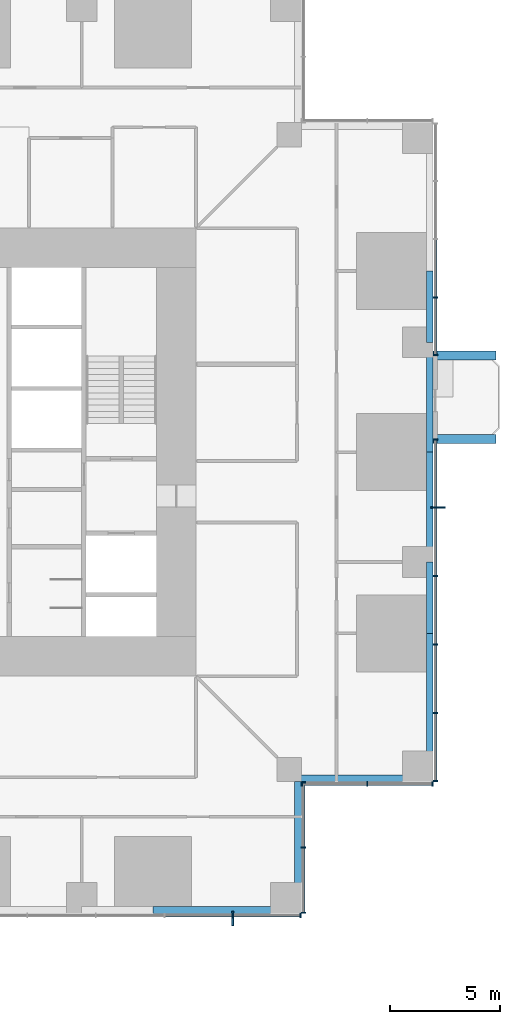
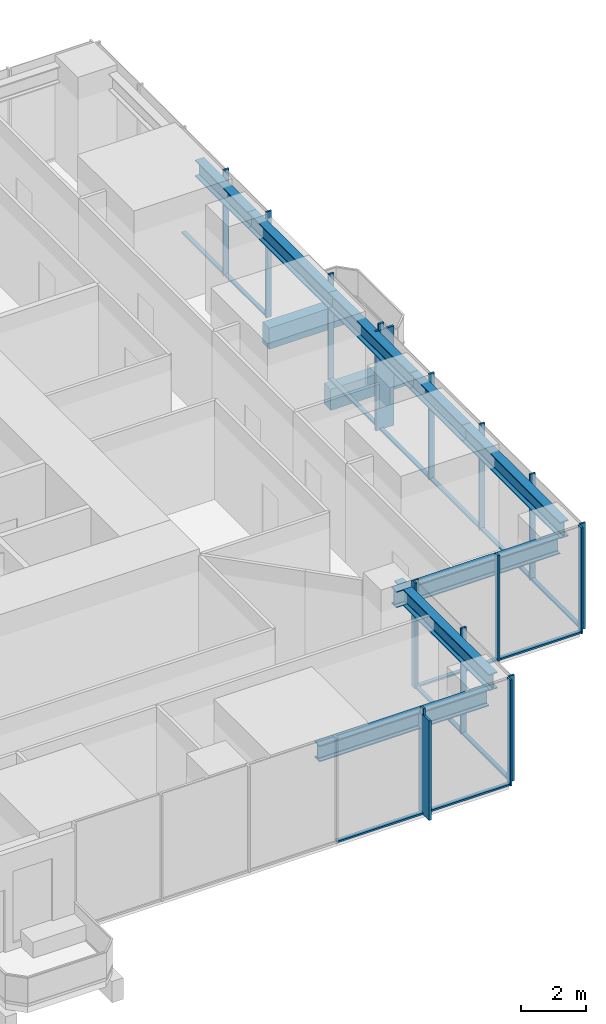
# One storey, part 4 of 18: 31 members, 10 beams, 5 elements without a shape of their own.
"""IFC4 building model written with IfcOpenShell, lengths in metres."""

from ifc_helpers import new_model, si_unit, direction, frame, origin, origin_2d, place, context, subcontext, project, spatial, rectangle, i_section, extrude, material, material_profile, profile_set, type_object, element, aggregate, save


model = new_model("IFC4")

# Units and contexts
model_context = context("Model", 3, precision=1e-05, world=origin(), true_north=direction((0.0, 1.0)))
body_context = subcontext(model_context, "Body", "Model", "MODEL_VIEW")
ifc_project = project(units=[si_unit("LENGTHUNIT", "METRE"), si_unit("AREAUNIT", "SQUARE_METRE"), si_unit("VOLUMEUNIT", "CUBIC_METRE"), si_unit("PLANEANGLEUNIT", "RADIAN"), si_unit("MASSUNIT", "GRAM", prefix="KILO")], contexts=[model_context])

# Site, building, storey
site_placement = place(None, origin())
site = spatial("IfcSite", under=ifc_project, at=site_placement, CompositionType="ELEMENT")
building_placement = place(site_placement, origin())
building = spatial("IfcBuilding", under=site, at=building_placement, Name="Svetlomir Tower", CompositionType="ELEMENT")
storey_placement = place(building_placement, frame((0.0, 0.0, 78.5)))
storey = spatial("IfcBuildingStorey", under=building, at=storey_placement, Name="L18", CompositionType="ELEMENT", Elevation=78.5)

# Beams
ifc_material_1 = material(Name="Concrete C60/75", Category="concrete")
ifc_material_profile_1 = material_profile(ifc_material_1, rectangle(XDim=0.39990234375, YDim=0.800048828125, at=origin_2d()), Name="RC 400x800")
ifc_profile_set_1 = profile_set([ifc_material_profile_1], Name="Concrete C60/75")
beam_type_1 = type_object("IfcBeamType", Name="BALCONY RIB RC 400x800", PredefinedType="BEAM", material=ifc_profile_set_1)
for number, where, z_axis, x_axis, name in (
    (1, (42.0, 21.60009765625, -0.64990234375), (1.0, 0.0, 0.0), (0.0, 1.0, 0.0), "Balcony rib E 1 L18"),
    (2, (42.0, 25.39990234375, -0.64990234375), (1.0, 0.0, 0.0), (0.0, 1.0, 0.0), "Balcony rib E 2 L18"),
):
    element("IfcBeam", number, at=place(storey_placement, frame(where, z_axis=z_axis, x_axis=x_axis)), inside=storey, type_object=beam_type_1, Name=name, PredefinedType="BEAM", context=body_context, shape_type="SweptSolid", body=[
        extrude(rectangle(XDim=0.39990234375, YDim=0.800048828125, at=origin_2d()), origin(), (0.0, 0.0, 1.0), 2.85009765625),
    ])

# Curtain wall, member
ifc_material_2 = material(Name="Bronze anodised aluminium curtain wall", Category="aluminium")
curtain_wall_type = type_object("IfcCurtainWallType", Name="CURTAIN WALL CW1 TOWER OFFICE", PredefinedType="NOTDEFINED", material=ifc_material_2)
curtain_wall_1_placement = place(storey_placement, origin())
curtain_wall_1 = element("IfcCurtainWall", 3, at=curtain_wall_1_placement, inside=storey, type_object=curtain_wall_type, Name="Curtain wall CW1 L18", PredefinedType="NOTDEFINED")
ifc_material_3 = material(Name="Bronze anodised aluminium", Category="aluminium")
ifc_material_profile_2 = material_profile(ifc_material_3, rectangle(XDim=0.080078125, YDim=0.64990234375, at=origin_2d()), Name="FIN 80x650")
ifc_profile_set_2 = profile_set([ifc_material_profile_2], Name="Bronze anodised aluminium 6063-T6")
member_type_1 = type_object("IfcMemberType", Name="BRONZE FIN 80x650", PredefinedType="USERDEFINED", material=ifc_profile_set_2)
member_1_placement = place(storey_placement, frame((32.8798828125, -0.22509765625, 0.0), z_axis=(0.0, 0.0, 1.0), x_axis=(1.0, 0.0, 0.0)))
member_1 = element("IfcMember", 4, at=member_1_placement, type_object=member_type_1, Name="Bronze fin L18", ObjectType="FIN", PredefinedType="USERDEFINED", context=body_context, shape_type="SweptSolid", body=[
    extrude(rectangle(XDim=0.080078125, YDim=0.64990234375, at=origin_2d()), origin(), (0.0, 0.0, 1.0), 3.75),
])

curtain_wall_2_placement = place(storey_placement, origin())
curtain_wall_2 = element("IfcCurtainWall", 5, at=curtain_wall_2_placement, inside=storey, type_object=curtain_wall_type, Name="Curtain wall CW1 L18", PredefinedType="NOTDEFINED")
member_2_placement = place(storey_placement, frame((42.22509765625, 18.47998046875, 0.0), z_axis=(0.0, 0.0, 1.0), x_axis=(0.0, 1.0, 0.0)))
member_2 = element("IfcMember", 6, at=member_2_placement, type_object=member_type_1, Name="Bronze fin L18", ObjectType="FIN", PredefinedType="USERDEFINED", context=body_context, shape_type="SweptSolid", body=[
    extrude(rectangle(XDim=0.080078125, YDim=0.64990234375, at=origin_2d()), origin(), (0.0, 0.0, 1.0), 3.75),
])

# Member
ifc_material_4 = material(Name="Bronze anodised aluminium", Category="aluminium")
ifc_material_profile_3 = material_profile(ifc_material_4, rectangle(XDim=0.06494140625, YDim=0.199951171875, at=origin_2d()), Name="AL 65x200")
ifc_profile_set_3 = profile_set([ifc_material_profile_3], Name="Bronze anodised aluminium 6063-T6")
member_type_2 = type_object("IfcMemberType", Name="CW1 MULLION 65x200", PredefinedType="MULLION", material=ifc_profile_set_3)
member_3_placement = place(storey_placement, frame((32.8798828125, -0.10009765625, 0.0), z_axis=(0.0, 0.0, 1.0), x_axis=(1.0, 0.0, 0.0)))
member_3 = element("IfcMember", 7, at=member_3_placement, type_object=member_type_2, Name="CW1 mullion 5", PredefinedType="MULLION", context=body_context, shape_type="SweptSolid", body=[
    extrude(rectangle(XDim=0.06494140625, YDim=0.199951171875, at=origin_2d()), origin(), (0.0, 0.0, 1.0), 4.0),
])

member_4_placement = place(storey_placement, frame((35.967529296875, -0.10009765625, 0.0), z_axis=(0.0, 0.0, 1.0), x_axis=(1.0, 0.0, 0.0)))
member_4 = element("IfcMember", 8, at=member_4_placement, type_object=member_type_2, Name="CW1 mullion 6", PredefinedType="MULLION", context=body_context, shape_type="SweptSolid", body=[
    extrude(rectangle(XDim=0.06494140625, YDim=0.199951171875, at=origin_2d()), origin(), (0.0, 0.0, 1.0), 4.0),
])

# Curtain wall, members
curtain_wall_3_placement = place(storey_placement, origin())
curtain_wall_3 = element("IfcCurtainWall", 9, at=curtain_wall_3_placement, inside=storey, type_object=curtain_wall_type, Name="Curtain wall CW1 L18", PredefinedType="NOTDEFINED")
member_5_placement = place(storey_placement, frame((36.10009765625, 0.032470703125, 0.0), z_axis=(0.0, 0.0, 1.0), x_axis=(0.0, 1.0, 0.0)))
member_5 = element("IfcMember", 10, at=member_5_placement, type_object=member_type_2, Name="CW1 mullion 1", PredefinedType="MULLION", context=body_context, shape_type="SweptSolid", body=[
    extrude(rectangle(XDim=0.06494140625, YDim=0.199951171875, at=origin_2d()), origin(), (0.0, 0.0, 1.0), 4.0),
])
member_6_placement = place(storey_placement, frame((36.10009765625, 3.0, 0.0), z_axis=(0.0, 0.0, 1.0), x_axis=(0.0, 1.0, 0.0)))
member_6 = element("IfcMember", 11, at=member_6_placement, type_object=member_type_2, Name="CW1 mullion 2", PredefinedType="MULLION", context=body_context, shape_type="SweptSolid", body=[
    extrude(rectangle(XDim=0.06494140625, YDim=0.199951171875, at=origin_2d()), origin(), (0.0, 0.0, 1.0), 4.0),
])
member_7_placement = place(storey_placement, frame((36.10009765625, 5.967529296875, 0.0), z_axis=(0.0, 0.0, 1.0), x_axis=(0.0, 1.0, 0.0)))
member_7 = element("IfcMember", 12, at=member_7_placement, type_object=member_type_2, Name="CW1 mullion 3", PredefinedType="MULLION", context=body_context, shape_type="SweptSolid", body=[
    extrude(rectangle(XDim=0.06494140625, YDim=0.199951171875, at=origin_2d()), origin(), (0.0, 0.0, 1.0), 4.0),
])

curtain_wall_4_placement = place(storey_placement, origin())
curtain_wall_4 = element("IfcCurtainWall", 13, at=curtain_wall_4_placement, inside=storey, type_object=curtain_wall_type, Name="Curtain wall CW1 L18", PredefinedType="NOTDEFINED")
member_8_placement = place(storey_placement, frame((36.032470703125, 5.89990234375, 0.0), z_axis=(0.0, 0.0, 1.0), x_axis=(1.0, 0.0, 0.0)))
member_8 = element("IfcMember", 14, at=member_8_placement, type_object=member_type_2, Name="CW1 mullion 1", PredefinedType="MULLION", context=body_context, shape_type="SweptSolid", body=[
    extrude(rectangle(XDim=0.06494140625, YDim=0.199951171875, at=origin_2d()), origin(), (0.0, 0.0, 1.0), 4.0),
])
member_9_placement = place(storey_placement, frame((39.0, 5.89990234375, 0.0), z_axis=(0.0, 0.0, 1.0), x_axis=(1.0, 0.0, 0.0)))
member_9 = element("IfcMember", 15, at=member_9_placement, type_object=member_type_2, Name="CW1 mullion 2", PredefinedType="MULLION", context=body_context, shape_type="SweptSolid", body=[
    extrude(rectangle(XDim=0.06494140625, YDim=0.199951171875, at=origin_2d()), origin(), (0.0, 0.0, 1.0), 4.0),
])
member_10_placement = place(storey_placement, frame((41.967529296875, 5.89990234375, 0.0), z_axis=(0.0, 0.0, 1.0), x_axis=(1.0, 0.0, 0.0)))
member_10 = element("IfcMember", 16, at=member_10_placement, type_object=member_type_2, Name="CW1 mullion 3", PredefinedType="MULLION", context=body_context, shape_type="SweptSolid", body=[
    extrude(rectangle(XDim=0.06494140625, YDim=0.199951171875, at=origin_2d()), origin(), (0.0, 0.0, 1.0), 4.0),
])

# Member
member_11_placement = place(storey_placement, frame((42.10009765625, 6.032470703125, 0.0), z_axis=(0.0, 0.0, 1.0), x_axis=(0.0, 1.0, 0.0)))
member_11 = element("IfcMember", 17, at=member_11_placement, type_object=member_type_2, Name="CW1 mullion 1", PredefinedType="MULLION", context=body_context, shape_type="SweptSolid", body=[
    extrude(rectangle(XDim=0.06494140625, YDim=0.199951171875, at=origin_2d()), origin(), (0.0, 0.0, 1.0), 4.0),
])

member_12_placement = place(storey_placement, frame((42.10009765625, 9.1201171875, 0.0), z_axis=(0.0, 0.0, 1.0), x_axis=(0.0, 1.0, 0.0)))
member_12 = element("IfcMember", 18, at=member_12_placement, type_object=member_type_2, Name="CW1 mullion 2", PredefinedType="MULLION", context=body_context, shape_type="SweptSolid", body=[
    extrude(rectangle(XDim=0.06494140625, YDim=0.199951171875, at=origin_2d()), origin(), (0.0, 0.0, 1.0), 4.0),
])

member_13_placement = place(storey_placement, frame((42.10009765625, 12.239990234375, 0.0), z_axis=(0.0, 0.0, 1.0), x_axis=(0.0, 1.0, 0.0)))
member_13 = element("IfcMember", 19, at=member_13_placement, type_object=member_type_2, Name="CW1 mullion 3", PredefinedType="MULLION", context=body_context, shape_type="SweptSolid", body=[
    extrude(rectangle(XDim=0.06494140625, YDim=0.199951171875, at=origin_2d()), origin(), (0.0, 0.0, 1.0), 4.0),
])

member_14_placement = place(storey_placement, frame((42.10009765625, 15.360107421875, 0.0), z_axis=(0.0, 0.0, 1.0), x_axis=(0.0, 1.0, 0.0)))
member_14 = element("IfcMember", 20, at=member_14_placement, type_object=member_type_2, Name="CW1 mullion 4", PredefinedType="MULLION", context=body_context, shape_type="SweptSolid", body=[
    extrude(rectangle(XDim=0.06494140625, YDim=0.199951171875, at=origin_2d()), origin(), (0.0, 0.0, 1.0), 4.0),
])

member_15_placement = place(storey_placement, frame((42.10009765625, 18.47998046875, 0.0), z_axis=(0.0, 0.0, 1.0), x_axis=(0.0, 1.0, 0.0)))
member_15 = element("IfcMember", 21, at=member_15_placement, type_object=member_type_2, Name="CW1 mullion 5", PredefinedType="MULLION", context=body_context, shape_type="SweptSolid", body=[
    extrude(rectangle(XDim=0.06494140625, YDim=0.199951171875, at=origin_2d()), origin(), (0.0, 0.0, 1.0), 4.0),
])

member_16_placement = place(storey_placement, frame((42.10009765625, 21.5673828125, 0.0), z_axis=(0.0, 0.0, 1.0), x_axis=(0.0, 1.0, 0.0)))
member_16 = element("IfcMember", 22, at=member_16_placement, type_object=member_type_2, Name="CW1 mullion 6", PredefinedType="MULLION", context=body_context, shape_type="SweptSolid", body=[
    extrude(rectangle(XDim=0.06494140625, YDim=0.199951171875, at=origin_2d()), origin(), (0.0, 0.0, 1.0), 4.0),
])

# Curtain wall, members
curtain_wall_5_placement = place(storey_placement, origin())
curtain_wall_5 = element("IfcCurtainWall", 23, at=curtain_wall_5_placement, inside=storey, type_object=curtain_wall_type, Name="Curtain wall CW1 L18", PredefinedType="NOTDEFINED")
member_17_placement = place(storey_placement, frame((42.10009765625, 25.4326171875, 0.0), z_axis=(0.0, 0.0, 1.0), x_axis=(0.0, 1.0, 0.0)))
member_17 = element("IfcMember", 24, at=member_17_placement, type_object=member_type_2, Name="CW1 mullion 1", PredefinedType="MULLION", context=body_context, shape_type="SweptSolid", body=[
    extrude(rectangle(XDim=0.06494140625, YDim=0.199951171875, at=origin_2d()), origin(), (0.0, 0.0, 1.0), 4.0),
])
member_18_placement = place(storey_placement, frame((42.10009765625, 28.050048828125, 0.0), z_axis=(0.0, 0.0, 1.0), x_axis=(0.0, 1.0, 0.0)))
member_18 = element("IfcMember", 25, at=member_18_placement, type_object=member_type_2, Name="CW1 mullion 2", PredefinedType="MULLION", context=body_context, shape_type="SweptSolid", body=[
    extrude(rectangle(XDim=0.06494140625, YDim=0.199951171875, at=origin_2d()), origin(), (0.0, 0.0, 1.0), 4.0),
])

# Member
ifc_material_5 = material(Name="Bronze anodised aluminium", Category="aluminium")
ifc_material_profile_4 = material_profile(ifc_material_5, rectangle(XDim=0.139892578125, YDim=0.06494140625, at=origin_2d()), Name="AL 140x65")
ifc_profile_set_4 = profile_set([ifc_material_profile_4], Name="Bronze anodised aluminium 6063-T6")
member_type_3 = type_object("IfcMemberType", Name="CW1 TRANSOM 65x140", PredefinedType="USERDEFINED", material=ifc_profile_set_4)
member_19_placement = place(storey_placement, frame((29.79248046875, -0.10009765625, 0.032470703125), z_axis=(1.0, 0.0, 0.0), x_axis=(0.0, 1.0, 0.0)))
member_19 = element("IfcMember", 26, at=member_19_placement, type_object=member_type_3, Name="CW1 transom 4.1", ObjectType="TRANSOM", PredefinedType="USERDEFINED", context=body_context, shape_type="SweptSolid", body=[
    extrude(rectangle(XDim=0.139892578125, YDim=0.06494140625, at=origin_2d()), origin(), (0.0, 0.0, 1.0), 3.054931640625),
])

member_20_placement = place(storey_placement, frame((32.91259765625, -0.10009765625, 0.032470703125), z_axis=(1.0, 0.0, 0.0), x_axis=(0.0, 1.0, 0.0)))
member_20 = element("IfcMember", 27, at=member_20_placement, type_object=member_type_3, Name="CW1 transom 5.1", ObjectType="TRANSOM", PredefinedType="USERDEFINED", context=body_context, shape_type="SweptSolid", body=[
    extrude(rectangle(XDim=0.139892578125, YDim=0.06494140625, at=origin_2d()), origin(), (0.0, 0.0, 1.0), 3.0224609375),
])

aggregate(curtain_wall_1, [member_3, member_4, member_19, member_20, member_1])

member_21_placement = place(storey_placement, frame((36.10009765625, 0.06494140625, 0.032470703125), z_axis=(0.0, 1.0, 0.0), x_axis=(-1.0, 0.0, 0.0)))
member_21 = element("IfcMember", 28, at=member_21_placement, type_object=member_type_3, Name="CW1 transom 1.1", ObjectType="TRANSOM", PredefinedType="USERDEFINED", context=body_context, shape_type="SweptSolid", body=[
    extrude(rectangle(XDim=0.139892578125, YDim=0.06494140625, at=origin_2d()), origin(), (0.0, 0.0, 1.0), 2.902587890625),
])

member_22_placement = place(storey_placement, frame((36.10009765625, 3.032470703125, 0.032470703125), z_axis=(0.0, 1.0, 0.0), x_axis=(-1.0, 0.0, 0.0)))
member_22 = element("IfcMember", 29, at=member_22_placement, type_object=member_type_3, Name="CW1 transom 2.1", ObjectType="TRANSOM", PredefinedType="USERDEFINED", context=body_context, shape_type="SweptSolid", body=[
    extrude(rectangle(XDim=0.139892578125, YDim=0.06494140625, at=origin_2d()), origin(), (0.0, 0.0, 1.0), 2.902587890625),
])

aggregate(curtain_wall_3, [member_5, member_6, member_7, member_21, member_22])

member_23_placement = place(storey_placement, frame((36.06494140625, 5.89990234375, 0.032470703125), z_axis=(1.0, 0.0, 0.0), x_axis=(0.0, 1.0, 0.0)))
member_23 = element("IfcMember", 30, at=member_23_placement, type_object=member_type_3, Name="CW1 transom 1.1", ObjectType="TRANSOM", PredefinedType="USERDEFINED", context=body_context, shape_type="SweptSolid", body=[
    extrude(rectangle(XDim=0.139892578125, YDim=0.06494140625, at=origin_2d()), origin(), (0.0, 0.0, 1.0), 2.902587890625),
])

member_24_placement = place(storey_placement, frame((39.032470703125, 5.89990234375, 0.032470703125), z_axis=(1.0, 0.0, 0.0), x_axis=(0.0, 1.0, 0.0)))
member_24 = element("IfcMember", 31, at=member_24_placement, type_object=member_type_3, Name="CW1 transom 2.1", ObjectType="TRANSOM", PredefinedType="USERDEFINED", context=body_context, shape_type="SweptSolid", body=[
    extrude(rectangle(XDim=0.139892578125, YDim=0.06494140625, at=origin_2d()), origin(), (0.0, 0.0, 1.0), 2.902587890625),
])

aggregate(curtain_wall_4, [member_8, member_9, member_10, member_23, member_24])

member_25_placement = place(storey_placement, frame((42.10009765625, 6.06494140625, 0.032470703125), z_axis=(0.0, 1.0, 0.0), x_axis=(-1.0, 0.0, 0.0)))
member_25 = element("IfcMember", 32, at=member_25_placement, type_object=member_type_3, Name="CW1 transom 1.1", ObjectType="TRANSOM", PredefinedType="USERDEFINED", context=body_context, shape_type="SweptSolid", body=[
    extrude(rectangle(XDim=0.139892578125, YDim=0.06494140625, at=origin_2d()), origin(), (0.0, 0.0, 1.0), 3.0224609375),
])

member_26_placement = place(storey_placement, frame((42.10009765625, 9.152587890625, 0.032470703125), z_axis=(0.0, 1.0, 0.0), x_axis=(-1.0, 0.0, 0.0)))
member_26 = element("IfcMember", 33, at=member_26_placement, type_object=member_type_3, Name="CW1 transom 2.1", ObjectType="TRANSOM", PredefinedType="USERDEFINED", context=body_context, shape_type="SweptSolid", body=[
    extrude(rectangle(XDim=0.139892578125, YDim=0.06494140625, at=origin_2d()), origin(), (0.0, 0.0, 1.0), 3.054931640625),
])

member_27_placement = place(storey_placement, frame((42.10009765625, 12.2724609375, 0.032470703125), z_axis=(0.0, 1.0, 0.0), x_axis=(-1.0, 0.0, 0.0)))
member_27 = element("IfcMember", 34, at=member_27_placement, type_object=member_type_3, Name="CW1 transom 3.1", ObjectType="TRANSOM", PredefinedType="USERDEFINED", context=body_context, shape_type="SweptSolid", body=[
    extrude(rectangle(XDim=0.139892578125, YDim=0.06494140625, at=origin_2d()), origin(), (0.0, 0.0, 1.0), 3.054931640625),
])

member_28_placement = place(storey_placement, frame((42.10009765625, 15.392578125, 0.032470703125), z_axis=(0.0, 1.0, 0.0), x_axis=(-1.0, 0.0, 0.0)))
member_28 = element("IfcMember", 35, at=member_28_placement, type_object=member_type_3, Name="CW1 transom 4.1", ObjectType="TRANSOM", PredefinedType="USERDEFINED", context=body_context, shape_type="SweptSolid", body=[
    extrude(rectangle(XDim=0.139892578125, YDim=0.06494140625, at=origin_2d()), origin(), (0.0, 0.0, 1.0), 3.054931640625),
])

member_29_placement = place(storey_placement, frame((42.10009765625, 18.512451171875, 0.032470703125), z_axis=(0.0, 1.0, 0.0), x_axis=(-1.0, 0.0, 0.0)))
member_29 = element("IfcMember", 36, at=member_29_placement, type_object=member_type_3, Name="CW1 transom 5.1", ObjectType="TRANSOM", PredefinedType="USERDEFINED", context=body_context, shape_type="SweptSolid", body=[
    extrude(rectangle(XDim=0.139892578125, YDim=0.06494140625, at=origin_2d()), origin(), (0.0, 0.0, 1.0), 3.0224609375),
])

aggregate(curtain_wall_2, [member_11, member_12, member_13, member_14, member_15, member_16, member_25, member_26, member_27, member_28, member_29, member_2])

member_30_placement = place(storey_placement, frame((42.10009765625, 25.465087890625, 0.032470703125), z_axis=(0.0, 1.0, 0.0), x_axis=(-1.0, 0.0, 0.0)))
member_30 = element("IfcMember", 37, at=member_30_placement, type_object=member_type_3, Name="CW1 transom 1.1", ObjectType="TRANSOM", PredefinedType="USERDEFINED", context=body_context, shape_type="SweptSolid", body=[
    extrude(rectangle(XDim=0.139892578125, YDim=0.06494140625, at=origin_2d()), origin(), (0.0, 0.0, 1.0), 2.552490234375),
])

member_31_placement = place(storey_placement, frame((42.10009765625, 28.08251953125, 0.032470703125), z_axis=(0.0, 1.0, 0.0), x_axis=(-1.0, 0.0, 0.0)))
member_31 = element("IfcMember", 38, at=member_31_placement, type_object=member_type_3, Name="CW1 transom 2.1", ObjectType="TRANSOM", PredefinedType="USERDEFINED", context=body_context, shape_type="SweptSolid", body=[
    extrude(rectangle(XDim=0.139892578125, YDim=0.06494140625, at=origin_2d()), origin(), (0.0, 0.0, 1.0), 2.5849609375),
])

aggregate(curtain_wall_5, [member_17, member_18, member_30, member_31])

# Beams
ifc_material_6 = material(Name="Steel S355", Category="steel")
ifc_material_profile_5 = material_profile(ifc_material_6, i_section(OverallWidth=0.304931640625, OverallDepth=0.6201171875, WebThickness=0.02099609375, FlangeThickness=0.0400390625, FilletRadius=0.027099609375, at=origin_2d()), Name="HEM 600")
ifc_profile_set_5 = profile_set([ifc_material_profile_5], Name="Steel S355")
beam_type_2 = type_object("IfcBeamType", Name="EDGE BEAM HEM 600", PredefinedType="SPANDREL", material=ifc_profile_set_5)
beam_1_placement = place(storey_placement, frame((41.847412109375, 6.699951171875, 3.43994140625), z_axis=(0.0, 1.0, 0.0), x_axis=(-1.0, 0.0, 0.0)))
element("IfcBeam", 39, at=beam_1_placement, inside=storey, type_object=beam_type_2, Name="Edge beam 42/6 to 42/11 under L19", PredefinedType="SPANDREL", context=body_context, shape_type="SweptSolid", body=[
    extrude(i_section(OverallWidth=0.304931640625, OverallDepth=0.6201171875, WebThickness=0.02099609375, FlangeThickness=0.0400390625, FilletRadius=0.027099609375, at=origin_2d()), origin(), (0.0, 0.0, 1.0), 6.050048828125),
])
beam_2_placement = place(storey_placement, frame((41.847412109375, 12.75, 3.43994140625), z_axis=(0.0, 1.0, 0.0), x_axis=(-1.0, 0.0, 0.0)))
element("IfcBeam", 40, at=beam_2_placement, inside=storey, type_object=beam_type_2, Name="Edge beam 42/11 to 42/16 under L19", PredefinedType="SPANDREL", context=body_context, shape_type="SweptSolid", body=[
    extrude(i_section(OverallWidth=0.304931640625, OverallDepth=0.6201171875, WebThickness=0.02099609375, FlangeThickness=0.0400390625, FilletRadius=0.027099609375, at=origin_2d()), origin(), (0.0, 0.0, 1.0), 3.25),
])
for number, where, z_axis, x_axis, name in (
    (41, (41.847412109375, 16.0, 3.43994140625), (0.0, 1.0, 0.0), (-1.0, 0.0, 0.0), "Edge beam 42/16 to 42/21 under L19"),
    (42, (41.847412109375, 21.0, 3.43994140625), (0.0, 1.0, 0.0), (-1.0, 0.0, 0.0), "Edge beam 42/21 to 42/26 under L19"),
):
    element("IfcBeam", number, at=place(storey_placement, frame(where, z_axis=z_axis, x_axis=x_axis)), inside=storey, type_object=beam_type_2, Name=name, PredefinedType="SPANDREL", context=body_context, shape_type="SweptSolid", body=[
        extrude(i_section(OverallWidth=0.304931640625, OverallDepth=0.6201171875, WebThickness=0.02099609375, FlangeThickness=0.0400390625, FilletRadius=0.027099609375, at=origin_2d()), origin(), (0.0, 0.0, 1.0), 5.0),
    ])
beam_3_placement = place(storey_placement, frame((41.847412109375, 26.0, 3.43994140625), z_axis=(0.0, 1.0, 0.0), x_axis=(-1.0, 0.0, 0.0)))
element("IfcBeam", 43, at=beam_3_placement, inside=storey, type_object=beam_type_2, Name="Edge beam 42/26 to 42/31 under L19", PredefinedType="SPANDREL", context=body_context, shape_type="SweptSolid", body=[
    extrude(i_section(OverallWidth=0.304931640625, OverallDepth=0.6201171875, WebThickness=0.02099609375, FlangeThickness=0.0400390625, FilletRadius=0.027099609375, at=origin_2d()), origin(), (0.0, 0.0, 1.0), 3.25),
])
beam_4_placement = place(storey_placement, frame((29.25, 0.152587890625, 3.43994140625), z_axis=(1.0, 0.0, 0.0), x_axis=(0.0, 1.0, 0.0)))
element("IfcBeam", 44, at=beam_4_placement, inside=storey, type_object=beam_type_2, Name="Edge beam 31/0 to 36/0 under L19", PredefinedType="SPANDREL", context=body_context, shape_type="SweptSolid", body=[
    extrude(i_section(OverallWidth=0.304931640625, OverallDepth=0.6201171875, WebThickness=0.02099609375, FlangeThickness=0.0400390625, FilletRadius=0.027099609375, at=origin_2d()), origin(), (0.0, 0.0, 1.0), 6.050048828125),
])
for number, where, z_axis, x_axis, name in (
    (45, (35.847412109375, 0.699951171875, 3.43994140625), (0.0, 1.0, 0.0), (-1.0, 0.0, 0.0), "Edge beam 36/0 to 36/6 under L19"),
    (46, (41.300048828125, 6.152587890625, 3.43994140625), (-1.0, 0.0, 0.0), (0.0, -1.0, 0.0), "Edge beam 42/6 to 36/6 under L19"),
):
    element("IfcBeam", number, at=place(storey_placement, frame(where, z_axis=z_axis, x_axis=x_axis)), inside=storey, type_object=beam_type_2, Name=name, PredefinedType="SPANDREL", context=body_context, shape_type="SweptSolid", body=[
        extrude(i_section(OverallWidth=0.304931640625, OverallDepth=0.6201171875, WebThickness=0.02099609375, FlangeThickness=0.0400390625, FilletRadius=0.027099609375, at=origin_2d()), origin(), (0.0, 0.0, 1.0), 5.85009765625),
    ])

save(model, "model.ifc")
